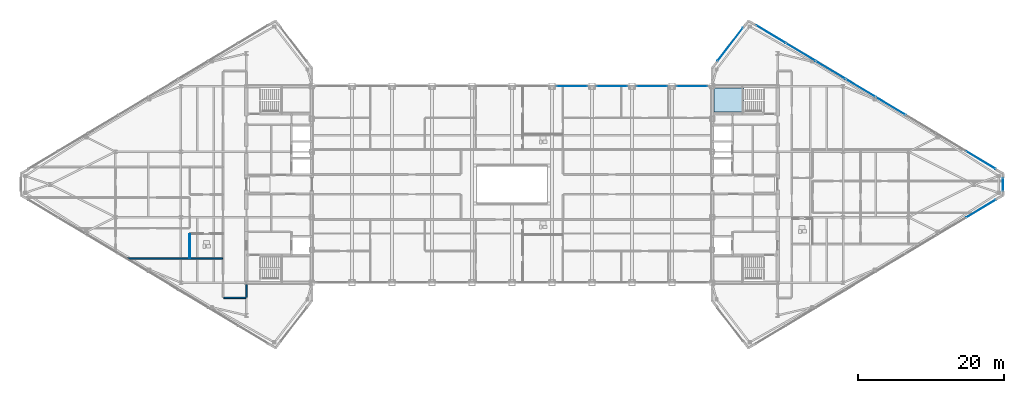
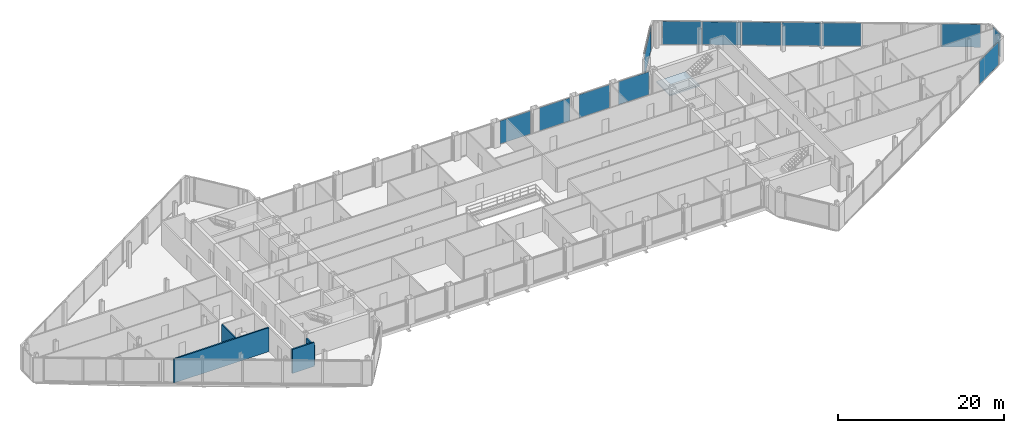
# One storey, part 20 of 29: 13 plates, 4 walls, 1 slab, 9 elements without a shape of their own.
"""IFC4 building model written with IfcOpenShell, lengths in metres."""

from ifc_helpers import new_model, si_unit, direction, frame, frame_2d, origin, origin_2d, place, context, subcontext, project, spatial, polyline, rectangle, outline, extrude, source, transform, mapped, material, layer, layer_set, type_object, type_shapes, element, aggregate, save


model = new_model("IFC4")

# Units and contexts
model_context = context("Model", 3, precision=1e-05, world=origin(), true_north=direction((0.0, 1.0)))
body_context = subcontext(model_context, "Body", "Model", "MODEL_VIEW")
ifc_project = project(units=[si_unit("LENGTHUNIT", "METRE"), si_unit("AREAUNIT", "SQUARE_METRE"), si_unit("VOLUMEUNIT", "CUBIC_METRE"), si_unit("PLANEANGLEUNIT", "RADIAN"), si_unit("MASSUNIT", "GRAM", prefix="KILO")], contexts=[model_context])

# Site, building, storey
site_placement = place(None, origin())
site = spatial("IfcSite", under=ifc_project, at=site_placement, CompositionType="ELEMENT")
building_placement = place(site_placement, origin())
building = spatial("IfcBuilding", under=site, at=building_placement, Name="Seokmaru Belvedere", CompositionType="ELEMENT")
storey_placement = place(building_placement, frame((0.0, 0.0, 250.64990234375)))
storey = spatial("IfcBuildingStorey", under=building, at=storey_placement, Name="L66", CompositionType="ELEMENT", Elevation=250.64990234375)

# Stair, slab
ifc_material_1 = material(Name="Concrete C40 (40 MPa)", Category="concrete")
stair_type = type_object("IfcStairType", Name="Sky-Gate Residential Core Dog-Leg Stair 3750", PredefinedType="TWO_STRAIGHT_RUN_STAIR", material=ifc_material_1)
stair_placement = place(storey_placement, origin())
stair = element("IfcStair", 1, at=stair_placement, inside=storey, type_object=stair_type, Name="L66 Special Escape Stair ST-E2", PredefinedType="TWO_STRAIGHT_RUN_STAIR")
ifc_layer_1 = layer(ifc_material_1, 0.199951171875)
ifc_layer_set_1 = layer_set([ifc_layer_1], Name="Concrete C40 (40 MPa)")
slab_type = type_object("IfcSlabType", Name="Reinforced Concrete Stair Landing Slab 200", PredefinedType="LANDING", material=ifc_layer_set_1)
slab_placement = place(storey_placement, frame((0.0, 0.0, 1.675048828125)))
slab = element("IfcSlab", 2, at=slab_placement, type_object=slab_type, Name="ST-E2 landing 1", PredefinedType="LANDING", context=body_context, shape_type="SweptSolid", body=[
    extrude(outline(polyline([(27.760009765625, 9.949951171875), (31.8798828125, 9.949951171875), (31.8798828125, 13.239990234375), (27.760009765625, 13.239990234375), (27.760009765625, 9.949951171875)])), origin(), (0.0, 0.0, 1.0), 0.199951171875),
])
aggregate(stair, [slab])

# Curtain wall, plate
ifc_material_2 = material(Name="Bronze Triple Insulating Glass", Category="glass")
ifc_layer_2 = layer(ifc_material_2, 0.219970703125)
ifc_layer_set_2 = layer_set([ifc_layer_2], Name="Bronze Triple Insulating Glass")
curtain_wall_type = type_object("IfcCurtainWallType", Name="Sky-Gate Bridge Panorama Curtain Wall System CW-6", PredefinedType="NOTDEFINED", material=ifc_layer_set_2)
curtain_wall_1_placement = place(storey_placement, origin())
curtain_wall_1 = element("IfcCurtainWall", 3, at=curtain_wall_1_placement, inside=storey, type_object=curtain_wall_type, Name="L66 Curtain Wall EF4", PredefinedType="NOTDEFINED")
ifc_layer_3 = layer(ifc_material_2, 0.0419921875)
ifc_layer_set_3 = layer_set([ifc_layer_3], Name="Bronze Triple Insulating Glass")
plate_type = type_object("IfcPlateType", Name="Acoustic Laminated Panorama Glazing Panel 42", PredefinedType="CURTAIN_PANEL", material=ifc_layer_set_3)
shared_shape_1 = source(origin(), body_context, "Body", "SweptSolid", [
    extrude(rectangle(XDim=5.740478515625, YDim=0.0419921875, at=origin_2d()), origin(), (0.0, 0.0, 1.0), 3.3798828125),
])
plate_1_placement = place(storey_placement, frame((30.0, 19.25, 0.0751953125), z_axis=(0.0, 0.0, 1.0), x_axis=(-0.609701187349, -0.792631353244, 0.0)))
plate_1 = element("IfcPlate", 4, at=plate_1_placement, type_object=plate_type, Name="CW:L66:EF4 Glazing Panel 1-1", PredefinedType="CURTAIN_PANEL", context=body_context, shape_type="MappedRepresentation", body=[
    mapped(shared_shape_1, transform((0.0, 0.0, 0.0), scale=1.0)),
])
aggregate(curtain_wall_1, [plate_1])

curtain_wall_2_placement = place(storey_placement, origin())
curtain_wall_2 = element("IfcCurtainWall", 5, at=curtain_wall_2_placement, inside=storey, type_object=curtain_wall_type, Name="L66 Curtain Wall EF1", PredefinedType="NOTDEFINED")
shared_shape_2 = source(origin(), body_context, "Body", "SweptSolid", [
    extrude(rectangle(XDim=4.694580078125, YDim=0.0419921875, at=origin_2d()), origin(), (0.0, 0.0, 1.0), 3.3798828125),
])
plate_2_placement = place(storey_placement, frame((64.4326171875, -3.340576171875, 0.0751953125), z_axis=(0.0, 0.0, 1.0), x_axis=(0.85749343335, 0.514494909364, 0.0)))
plate_2 = element("IfcPlate", 6, at=plate_2_placement, type_object=plate_type, Name="CW:L66:EF1 Glazing Panel 8-1", PredefinedType="CURTAIN_PANEL", context=body_context, shape_type="MappedRepresentation", body=[
    mapped(shared_shape_2, transform((0.0, 0.0, 0.0), scale=1.0)),
])
aggregate(curtain_wall_2, [plate_2])

# Curtain wall, plates
curtain_wall_3_placement = place(storey_placement, origin())
curtain_wall_3 = element("IfcCurtainWall", 7, at=curtain_wall_3_placement, inside=storey, type_object=curtain_wall_type, Name="L66 Curtain Wall EF3", PredefinedType="NOTDEFINED")
plate_3_placement = place(storey_placement, frame((64.4326171875, 3.340576171875, 0.0751953125), z_axis=(0.0, 0.0, 1.0), x_axis=(-0.85749343335, 0.514494909364, 0.0)))
plate_3 = element("IfcPlate", 8, at=plate_3_placement, type_object=plate_type, Name="CW:L66:EF3 Glazing Panel 1-1", PredefinedType="CURTAIN_PANEL", context=body_context, shape_type="MappedRepresentation", body=[
    mapped(shared_shape_2, transform((0.0, 0.0, 0.0), scale=1.0)),
])
plate_4_placement = place(storey_placement, frame((35.5673828125, 20.659423828125, 0.0751953125), z_axis=(0.0, 0.0, 1.0), x_axis=(-0.85749343335, 0.514494909364, 0.0)))
plate_4 = element("IfcPlate", 9, at=plate_4_placement, type_object=plate_type, Name="CW:L66:EF3 Glazing Panel 8-1", PredefinedType="CURTAIN_PANEL", context=body_context, shape_type="MappedRepresentation", body=[
    mapped(shared_shape_2, transform((0.0, 0.0, 0.0), scale=1.0)),
])
shared_shape_3 = source(origin(), body_context, "Body", "SweptSolid", [
    extrude(rectangle(XDim=4.734619140625, YDim=0.0419921875, at=origin_2d()), origin(), (0.0, 0.0, 1.0), 3.3798828125),
])
plate_5_placement = place(storey_placement, frame((52.064208984375, 10.761474609375, 0.0751953125), z_axis=(0.0, 0.0, 1.0), x_axis=(-0.85749343335, 0.514494909364, 0.0)))
plate_5 = element("IfcPlate", 10, at=plate_5_placement, type_object=plate_type, Name="CW:L66:EF3 Glazing Panel 4-1", PredefinedType="CURTAIN_PANEL", context=body_context, shape_type="MappedRepresentation", body=[
    mapped(shared_shape_3, transform((0.0, 0.0, 0.0), scale=1.0)),
])
plate_6_placement = place(storey_placement, frame((47.935791015625, 13.238525390625, 0.0751953125), z_axis=(0.0, 0.0, 1.0), x_axis=(-0.85749343335, 0.514494909364, 0.0)))
plate_6 = element("IfcPlate", 11, at=plate_6_placement, type_object=plate_type, Name="CW:L66:EF3 Glazing Panel 5-1", PredefinedType="CURTAIN_PANEL", context=body_context, shape_type="MappedRepresentation", body=[
    mapped(shared_shape_3, transform((0.0, 0.0, 0.0), scale=1.0)),
])
plate_7_placement = place(storey_placement, frame((43.807373046875, 15.715576171875, 0.0751953125), z_axis=(0.0, 0.0, 1.0), x_axis=(-0.85749343335, 0.514494909364, 0.0)))
plate_7 = element("IfcPlate", 12, at=plate_7_placement, type_object=plate_type, Name="CW:L66:EF3 Glazing Panel 6-1", PredefinedType="CURTAIN_PANEL", context=body_context, shape_type="MappedRepresentation", body=[
    mapped(shared_shape_3, transform((0.0, 0.0, 0.0), scale=1.0)),
])
plate_8_placement = place(storey_placement, frame((39.6787109375, 18.192626953125, 0.0751953125), z_axis=(0.0, 0.0, 1.0), x_axis=(-0.85749343335, 0.514494909364, 0.0)))
plate_8 = element("IfcPlate", 13, at=plate_8_placement, type_object=plate_type, Name="CW:L66:EF3 Glazing Panel 7-1", PredefinedType="CURTAIN_PANEL", context=body_context, shape_type="MappedRepresentation", body=[
    mapped(shared_shape_3, transform((0.0, 0.0, 0.0), scale=1.0)),
])
aggregate(curtain_wall_3, [plate_3, plate_5, plate_6, plate_7, plate_8, plate_4])

# Curtain wall, plate
curtain_wall_4_placement = place(storey_placement, origin())
curtain_wall_4 = element("IfcCurtainWall", 14, at=curtain_wall_4_placement, inside=storey, type_object=curtain_wall_type, Name="L66 Curtain Wall EF2", PredefinedType="NOTDEFINED")
shared_shape_4 = source(origin(), body_context, "Body", "SweptSolid", [
    extrude(rectangle(XDim=1.739990234375, YDim=0.0419921875, at=origin_2d()), origin(), (0.0, 0.0, 1.0), 3.3798828125),
])
plate_9_placement = place(storey_placement, frame((67.5, 0.0, 0.0751953125), z_axis=(0.0, 0.0, 1.0), x_axis=(0.0, 1.0, 0.0)))
plate_9 = element("IfcPlate", 15, at=plate_9_placement, type_object=plate_type, Name="CW:L66:EF2 Glazing Panel 1-1", PredefinedType="CURTAIN_PANEL", context=body_context, shape_type="MappedRepresentation", body=[
    mapped(shared_shape_4, transform((0.0, 0.0, 0.0), scale=1.0)),
])
aggregate(curtain_wall_4, [plate_9])

curtain_wall_5_placement = place(storey_placement, origin())
curtain_wall_5 = element("IfcCurtainWall", 16, at=curtain_wall_5_placement, inside=storey, type_object=curtain_wall_type, Name="L66 Curtain Wall BR_N07", PredefinedType="NOTDEFINED")
shared_shape_5 = source(origin(), body_context, "Body", "SweptSolid", [
    extrude(rectangle(XDim=4.239990234375, YDim=0.0419921875, at=origin_2d()), origin(), (0.0, 0.0, 1.0), 3.3798828125),
])
type_shapes(plate_type, [shared_shape_1, shared_shape_2, shared_shape_3, shared_shape_4, shared_shape_5])
plate_10_placement = place(storey_placement, frame((8.25, 13.5, 0.0751953125), z_axis=(0.0, 0.0, 1.0), x_axis=(-1.0, 0.0, 0.0)))
plate_10 = element("IfcPlate", 17, at=plate_10_placement, type_object=plate_type, Name="CW:L66:BR_N07 Glazing Panel 1-1", PredefinedType="CURTAIN_PANEL", context=body_context, shape_type="MappedRepresentation", body=[
    mapped(shared_shape_5, transform((0.0, 0.0, 0.0), scale=1.0)),
])
aggregate(curtain_wall_5, [plate_10])

curtain_wall_6_placement = place(storey_placement, origin())
curtain_wall_6 = element("IfcCurtainWall", 18, at=curtain_wall_6_placement, inside=storey, type_object=curtain_wall_type, Name="L66 Curtain Wall BR_N08", PredefinedType="NOTDEFINED")
plate_11_placement = place(storey_placement, frame((13.75, 13.5, 0.0751953125), z_axis=(0.0, 0.0, 1.0), x_axis=(-1.0, 0.0, 0.0)))
plate_11 = element("IfcPlate", 19, at=plate_11_placement, type_object=plate_type, Name="CW:L66:BR_N08 Glazing Panel 1-1", PredefinedType="CURTAIN_PANEL", context=body_context, shape_type="MappedRepresentation", body=[
    mapped(shared_shape_5, transform((0.0, 0.0, 0.0), scale=1.0)),
])
aggregate(curtain_wall_6, [plate_11])

curtain_wall_7_placement = place(storey_placement, origin())
curtain_wall_7 = element("IfcCurtainWall", 20, at=curtain_wall_7_placement, inside=storey, type_object=curtain_wall_type, Name="L66 Curtain Wall BR_N09", PredefinedType="NOTDEFINED")
plate_12_placement = place(storey_placement, frame((19.25, 13.5, 0.0751953125), z_axis=(0.0, 0.0, 1.0), x_axis=(-1.0, 0.0, 0.0)))
plate_12 = element("IfcPlate", 21, at=plate_12_placement, type_object=plate_type, Name="CW:L66:BR_N09 Glazing Panel 1-1", PredefinedType="CURTAIN_PANEL", context=body_context, shape_type="MappedRepresentation", body=[
    mapped(shared_shape_5, transform((0.0, 0.0, 0.0), scale=1.0)),
])
aggregate(curtain_wall_7, [plate_12])

curtain_wall_8_placement = place(storey_placement, origin())
curtain_wall_8 = element("IfcCurtainWall", 22, at=curtain_wall_8_placement, inside=storey, type_object=curtain_wall_type, Name="L66 Curtain Wall BR_N10", PredefinedType="NOTDEFINED")
plate_13_placement = place(storey_placement, frame((24.75, 13.5, 0.0751953125), z_axis=(0.0, 0.0, 1.0), x_axis=(-1.0, 0.0, 0.0)))
plate_13 = element("IfcPlate", 23, at=plate_13_placement, type_object=plate_type, Name="CW:L66:BR_N10 Glazing Panel 1-1", PredefinedType="CURTAIN_PANEL", context=body_context, shape_type="MappedRepresentation", body=[
    mapped(shared_shape_5, transform((0.0, 0.0, 0.0), scale=1.0)),
])
aggregate(curtain_wall_8, [plate_13])

# Walls
ifc_material_3 = material(Name="Fire-Rated Gypsum Shaftwall")
ifc_layer_4 = layer(ifc_material_3, 0.199951171875)
ifc_layer_set_4 = layer_set([ifc_layer_4], Name="Fire-Rated Gypsum Shaftwall")
wall_type_1 = type_object("IfcWallType", Name="Inter-Tenancy Fire Compartment Partition 200", PredefinedType="PARTITIONING", material=ifc_layer_set_4)
wall_1_placement = place(storey_placement, frame((-39.614990234375, -15.60009765625, 0.0), z_axis=(0.0, 0.0, 1.0), x_axis=(1.0, 0.0, 0.0)))
element("IfcWall", 24, at=wall_1_placement, inside=storey, type_object=wall_type_1, Name="L66 Interior Partition 001", PredefinedType="PARTITIONING", context=body_context, shape_type="SweptSolid", body=[
    extrude(rectangle(XDim=3.030029296875, YDim=0.199951171875, at=frame_2d((1.51513671875, 0.0))), origin(), (0.0, 0.0, 1.0), 3.530029296875),
])
wall_2_placement = place(storey_placement, frame((-53.010009765625, -10.199951171875, 0.0), z_axis=(0.0, 0.0, 1.0), x_axis=(1.0, 0.0, 0.0)))
element("IfcWall", 25, at=wall_2_placement, inside=storey, type_object=wall_type_1, Name="L66 Interior Partition 003", PredefinedType="PARTITIONING", context=body_context, shape_type="SweptSolid", body=[
    extrude(rectangle(XDim=13.22998046875, YDim=0.199951171875, at=frame_2d((6.614990234375, 0.0))), origin(), (0.0, 0.0, 1.0), 3.530029296875),
])
wall_3_placement = place(storey_placement, frame((-36.5, -15.514892578125, 0.0), z_axis=(0.0, 0.0, 1.0), x_axis=(0.0, 1.0, 0.0)))
element("IfcWall", 26, at=wall_3_placement, inside=storey, type_object=wall_type_1, Name="L66 Interior Partition 036", PredefinedType="PARTITIONING", context=body_context, shape_type="SweptSolid", body=[
    extrude(rectangle(XDim=1.760009765625, YDim=0.199951171875, at=frame_2d((0.8798828125, 0.0))), origin(), (0.0, 0.0, 1.0), 2.93017578125),
])
ifc_layer_5 = layer(ifc_material_3, 0.1298828125)
ifc_layer_set_5 = layer_set([ifc_layer_5], Name="Fire-Rated Gypsum Shaftwall")
wall_type_2 = type_object("IfcWallType", Name="Moisture-Resistant Fire-Rated Bathroom Partition 130", PredefinedType="PARTITIONING", material=ifc_layer_set_5)
wall_4_placement = place(storey_placement, frame((-44.300048828125, -10.14990234375, 0.0), z_axis=(0.0, 0.0, 1.0), x_axis=(0.0, 1.0, 0.0)))
element("IfcWall", 27, at=wall_4_placement, inside=storey, type_object=wall_type_2, Name="L66 Interior Partition 032", PredefinedType="PARTITIONING", context=body_context, shape_type="SweptSolid", body=[
    extrude(rectangle(XDim=3.2998046875, YDim=0.1298828125, at=frame_2d((1.64990234375, 0.0))), origin(), (0.0, 0.0, 1.0), 3.530029296875),
])

save(model, "model.ifc")
